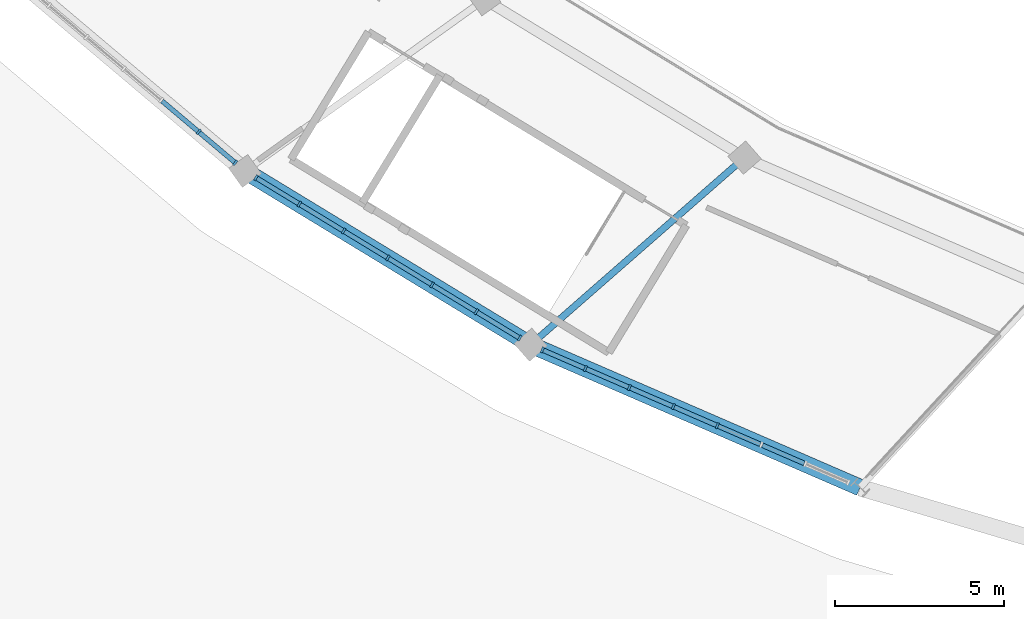
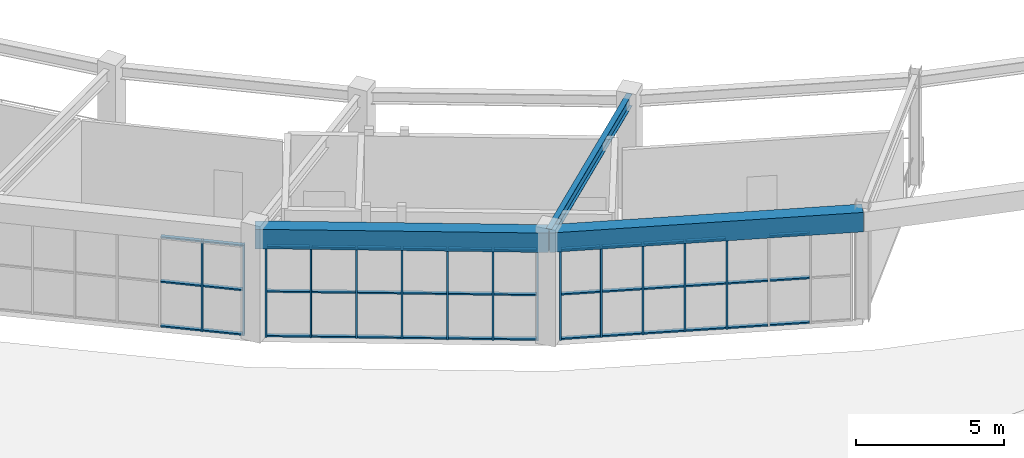
# One storey, part 14 of 45: 55 members, 3 beams, 3 elements without a shape of their own.
"""IFC4 building model written with IfcOpenShell, lengths in metres."""

from ifc_helpers import new_model, si_unit, direction, frame, origin, origin_2d, place, context, subcontext, project, spatial, rectangle, i_section, extrude, material, layer, layer_set, material_profile, profile_set, type_object, element, aggregate, save


model = new_model("IFC4")

# Units and contexts
model_context = context("Model", 3, precision=1e-05, world=origin(), true_north=direction((0.0, 1.0)))
body_context = subcontext(model_context, "Body", "Model", "MODEL_VIEW")
ifc_project = project(units=[si_unit("LENGTHUNIT", "METRE"), si_unit("AREAUNIT", "SQUARE_METRE"), si_unit("VOLUMEUNIT", "CUBIC_METRE"), si_unit("PLANEANGLEUNIT", "RADIAN"), si_unit("MASSUNIT", "GRAM", prefix="KILO")], contexts=[model_context])

# Site, building, storey
site_placement = place(None, origin())
site = spatial("IfcSite", under=ifc_project, at=site_placement, CompositionType="ELEMENT")
building_placement = place(site_placement, origin())
building = spatial("IfcBuilding", under=site, at=building_placement, Name="Mphavela Belvedere Stadium", CompositionType="ELEMENT")
storey_placement = place(building_placement, frame((0.0, 0.0, 24.0)))
storey = spatial("IfcBuildingStorey", under=building, at=storey_placement, Name="L05", CompositionType="ELEMENT", Elevation=24.0)

# Beams
ifc_material_1 = material(Name="Concrete C40/50", Category="concrete")
ifc_material_profile_1 = material_profile(ifc_material_1, rectangle(XDim=0.5, YDim=0.800048828125, at=origin_2d()), Name="RC 500x800")
ifc_profile_set_1 = profile_set([ifc_material_profile_1], Name="Concrete C40/50")
beam_type_1 = type_object("IfcBeamType", Name="BM-SPANDREL-800", PredefinedType="SPANDREL", material=ifc_profile_set_1)
beam_1_placement = place(storey_placement, frame((35.844482421875, 30.285400390625, 4.14990234375), z_axis=(0.854326607994, -0.51973651678, 0.0), x_axis=(0.51973651678, 0.854326607994, 0.0)))
element("IfcBeam", 1, at=beam_1_placement, inside=storey, type_object=beam_type_1, Name="Circumferential girder L05 R4-31", PredefinedType="SPANDREL", context=body_context, shape_type="SweptSolid", body=[
    extrude(rectangle(XDim=0.5, YDim=0.800048828125, at=origin_2d()), origin(), (0.0, 0.0, 1.0), 9.901611328125),
])
beam_2_placement = place(storey_placement, frame((44.3037109375, 25.13916015625, 4.14990234375), z_axis=(0.91749867224, -0.397738842004, 0.0), x_axis=(0.397738842004, 0.91749867224, 0.0)))
element("IfcBeam", 2, at=beam_2_placement, inside=storey, type_object=beam_type_1, Name="Circumferential girder L05 R4-32", PredefinedType="SPANDREL", context=body_context, shape_type="SweptSolid", body=[
    extrude(rectangle(XDim=0.5, YDim=0.800048828125, at=origin_2d()), origin(), (0.0, 0.0, 1.0), 10.63623046875),
])
ifc_material_2 = material(Name="Steel S355", Category="steel")
ifc_material_profile_2 = material_profile(ifc_material_2, i_section(OverallWidth=0.199951171875, OverallDepth=0.5, WebThickness=0.01025390625, FlangeThickness=0.01611328125, at=origin_2d()), Name="IPE 500")
ifc_profile_set_2 = profile_set([ifc_material_profile_2], Name="Steel S355")
beam_type_2 = type_object("IfcBeamType", Name="BM-STEEL-IPE500", PredefinedType="BEAM", material=ifc_profile_set_2)
beam_3_placement = place(storey_placement, frame((50.639892578125, 30.68310546875, 4.300048828125), z_axis=(-0.752589268993, -0.658490236978, 0.0), x_axis=(0.658490236978, -0.752589268993, 0.0)))
element("IfcBeam", 3, at=beam_3_placement, inside=storey, type_object=beam_type_2, Name="Radial concourse girder L05 R3R4-32", PredefinedType="BEAM", context=body_context, shape_type="SweptSolid", body=[
    extrude(i_section(OverallWidth=0.199951171875, OverallDepth=0.5, WebThickness=0.01025390625, FlangeThickness=0.01611328125, at=origin_2d()), origin(), (0.0, 0.0, 1.0), 8.419189453125),
])

# Curtain wall, members
ifc_material_3 = material(Name="Anodised bronze unitised curtain wall framing")
ifc_layer_1 = layer(ifc_material_3, 0.205078125)
ifc_layer_set_1 = layer_set([ifc_layer_1], Name="Anodised bronze unitised curtain wall framing")
curtain_wall_type_1 = type_object("IfcCurtainWallType", Name="CW-UNIT-06", PredefinedType="USERDEFINED", material=ifc_layer_set_1)
curtain_wall_1_placement = place(storey_placement, origin())
curtain_wall_1 = element("IfcCurtainWall", 4, at=curtain_wall_1_placement, inside=storey, type_object=curtain_wall_type_1, Name="Belvedere colonnade curtain wall L05-30", ObjectType="UNITISED CURTAIN WALL", PredefinedType="USERDEFINED")
ifc_material_4 = material(Name="Anodised bronze extruded aluminium", Category="aluminium")
ifc_material_profile_3 = material_profile(ifc_material_4, rectangle(XDim=0.179931640625, YDim=0.06494140625, at=origin_2d()), Name="CW-MUL 180x65")
ifc_profile_set_3 = profile_set([ifc_material_profile_3], Name="Anodised bronze extruded aluminium")
member_type_1 = type_object("IfcMemberType", Name="CWM-180x65", PredefinedType="MULLION", material=ifc_profile_set_3)
member_1_placement = place(storey_placement, frame((34.469970703125, 31.4453125, 0.0), z_axis=(0.0, 0.0, 1.0), x_axis=(0.644916038089, 0.764253429051, 0.0)))
member_1 = element("IfcMember", 5, at=member_1_placement, type_object=member_type_1, Name="CW-06 mullion 6", PredefinedType="MULLION", context=body_context, shape_type="SweptSolid", body=[
    extrude(rectangle(XDim=0.179931640625, YDim=0.06494140625, at=origin_2d()), origin(), (0.0, 0.0, 1.0), 3.719970703125),
])
member_2_placement = place(storey_placement, frame((35.553466796875, 30.53076171875, 0.0), z_axis=(0.0, 0.0, 1.0), x_axis=(0.644916038089, 0.764253429051, 0.0)))
member_2 = element("IfcMember", 6, at=member_2_placement, type_object=member_type_1, Name="CW-06 mullion 7", PredefinedType="MULLION", context=body_context, shape_type="SweptSolid", body=[
    extrude(rectangle(XDim=0.179931640625, YDim=0.06494140625, at=origin_2d()), origin(), (0.0, 0.0, 1.0), 3.719970703125),
])

ifc_material_5 = material(Name="Anodised bronze unitised curtain wall framing")
ifc_layer_2 = layer(ifc_material_5, 0.179931640625)
ifc_layer_set_2 = layer_set([ifc_layer_2], Name="Anodised bronze unitised curtain wall framing")
curtain_wall_type_2 = type_object("IfcCurtainWallType", Name="CW-UNIT-01", PredefinedType="USERDEFINED", material=ifc_layer_set_2)
curtain_wall_2_placement = place(storey_placement, origin())
curtain_wall_2 = element("IfcCurtainWall", 7, at=curtain_wall_2_placement, inside=storey, type_object=curtain_wall_type_2, Name="Belvedere colonnade curtain wall L05-31", ObjectType="UNITISED CURTAIN WALL", PredefinedType="USERDEFINED")
member_3_placement = place(storey_placement, frame((36.16943359375, 30.087646484375, 0.0), z_axis=(0.0, 0.0, 1.0), x_axis=(0.519735341101, 0.854327323226, 0.0)))
member_3 = element("IfcMember", 8, at=member_3_placement, type_object=member_type_1, Name="CW-01 mullion 1", PredefinedType="MULLION", context=body_context, shape_type="SweptSolid", body=[
    extrude(rectangle(XDim=0.179931640625, YDim=0.06494140625, at=origin_2d()), origin(), (0.0, 0.0, 1.0), 3.719970703125),
])
member_4_placement = place(storey_placement, frame((37.452392578125, 29.30712890625, 0.0), z_axis=(0.0, 0.0, 1.0), x_axis=(0.519735341101, 0.854327323226, 0.0)))
member_4 = element("IfcMember", 9, at=member_4_placement, type_object=member_type_1, Name="CW-01 mullion 2", PredefinedType="MULLION", context=body_context, shape_type="SweptSolid", body=[
    extrude(rectangle(XDim=0.179931640625, YDim=0.06494140625, at=origin_2d()), origin(), (0.0, 0.0, 1.0), 3.719970703125),
])
member_5_placement = place(storey_placement, frame((38.76318359375, 28.509765625, 0.0), z_axis=(0.0, 0.0, 1.0), x_axis=(0.519735341101, 0.854327323226, 0.0)))
member_5 = element("IfcMember", 10, at=member_5_placement, type_object=member_type_1, Name="CW-01 mullion 3", PredefinedType="MULLION", context=body_context, shape_type="SweptSolid", body=[
    extrude(rectangle(XDim=0.179931640625, YDim=0.06494140625, at=origin_2d()), origin(), (0.0, 0.0, 1.0), 3.719970703125),
])
member_6_placement = place(storey_placement, frame((40.07421875, 27.71240234375, 0.0), z_axis=(0.0, 0.0, 1.0), x_axis=(0.519735341101, 0.854327323226, 0.0)))
member_6 = element("IfcMember", 11, at=member_6_placement, type_object=member_type_1, Name="CW-01 mullion 4", PredefinedType="MULLION", context=body_context, shape_type="SweptSolid", body=[
    extrude(rectangle(XDim=0.179931640625, YDim=0.06494140625, at=origin_2d()), origin(), (0.0, 0.0, 1.0), 3.719970703125),
])
member_7_placement = place(storey_placement, frame((41.385009765625, 26.914794921875, 0.0), z_axis=(0.0, 0.0, 1.0), x_axis=(0.519735341101, 0.854327323226, 0.0)))
member_7 = element("IfcMember", 12, at=member_7_placement, type_object=member_type_1, Name="CW-01 mullion 5", PredefinedType="MULLION", context=body_context, shape_type="SweptSolid", body=[
    extrude(rectangle(XDim=0.179931640625, YDim=0.06494140625, at=origin_2d()), origin(), (0.0, 0.0, 1.0), 3.719970703125),
])
member_8_placement = place(storey_placement, frame((42.69580078125, 26.117431640625, 0.0), z_axis=(0.0, 0.0, 1.0), x_axis=(0.519735341101, 0.854327323226, 0.0)))
member_8 = element("IfcMember", 13, at=member_8_placement, type_object=member_type_1, Name="CW-01 mullion 6", PredefinedType="MULLION", context=body_context, shape_type="SweptSolid", body=[
    extrude(rectangle(XDim=0.179931640625, YDim=0.06494140625, at=origin_2d()), origin(), (0.0, 0.0, 1.0), 3.719970703125),
])
member_9_placement = place(storey_placement, frame((43.978759765625, 25.3369140625, 0.0), z_axis=(0.0, 0.0, 1.0), x_axis=(0.519735341101, 0.854327323226, 0.0)))
member_9 = element("IfcMember", 14, at=member_9_placement, type_object=member_type_1, Name="CW-01 mullion 7", PredefinedType="MULLION", context=body_context, shape_type="SweptSolid", body=[
    extrude(rectangle(XDim=0.179931640625, YDim=0.06494140625, at=origin_2d()), origin(), (0.0, 0.0, 1.0), 3.719970703125),
])

ifc_material_6 = material(Name="Anodised bronze unitised curtain wall framing")
ifc_layer_3 = layer(ifc_material_6, 0.18505859375)
ifc_layer_set_3 = layer_set([ifc_layer_3], Name="Anodised bronze unitised curtain wall framing")
curtain_wall_type_3 = type_object("IfcCurtainWallType", Name="CW-UNIT-02", PredefinedType="USERDEFINED", material=ifc_layer_set_3)
curtain_wall_3_placement = place(storey_placement, origin())
curtain_wall_3 = element("IfcCurtainWall", 15, at=curtain_wall_3_placement, inside=storey, type_object=curtain_wall_type_3, Name="Belvedere colonnade curtain wall L05-32", ObjectType="UNITISED CURTAIN WALL", PredefinedType="USERDEFINED")
member_10_placement = place(storey_placement, frame((44.65283203125, 24.98779296875, 0.0), z_axis=(0.0, 0.0, 1.0), x_axis=(0.39774295054, 0.917496891164, 0.0)))
member_10 = element("IfcMember", 16, at=member_10_placement, type_object=member_type_1, Name="CW-02 mullion 1", PredefinedType="MULLION", context=body_context, shape_type="SweptSolid", body=[
    extrude(rectangle(XDim=0.179931640625, YDim=0.06494140625, at=origin_2d()), origin(), (0.0, 0.0, 1.0), 3.719970703125),
])
member_11_placement = place(storey_placement, frame((45.926025390625, 24.435791015625, 0.0), z_axis=(0.0, 0.0, 1.0), x_axis=(0.39774295054, 0.917496891164, 0.0)))
member_11 = element("IfcMember", 17, at=member_11_placement, type_object=member_type_1, Name="CW-02 mullion 2", PredefinedType="MULLION", context=body_context, shape_type="SweptSolid", body=[
    extrude(rectangle(XDim=0.179931640625, YDim=0.06494140625, at=origin_2d()), origin(), (0.0, 0.0, 1.0), 3.719970703125),
])
member_12_placement = place(storey_placement, frame((47.228759765625, 23.87109375, 0.0), z_axis=(0.0, 0.0, 1.0), x_axis=(0.39774295054, 0.917496891164, 0.0)))
member_12 = element("IfcMember", 18, at=member_12_placement, type_object=member_type_1, Name="CW-02 mullion 3", PredefinedType="MULLION", context=body_context, shape_type="SweptSolid", body=[
    extrude(rectangle(XDim=0.179931640625, YDim=0.06494140625, at=origin_2d()), origin(), (0.0, 0.0, 1.0), 3.719970703125),
])
member_13_placement = place(storey_placement, frame((48.53173828125, 23.306396484375, 0.0), z_axis=(0.0, 0.0, 1.0), x_axis=(0.39774295054, 0.917496891164, 0.0)))
member_13 = element("IfcMember", 19, at=member_13_placement, type_object=member_type_1, Name="CW-02 mullion 4", PredefinedType="MULLION", context=body_context, shape_type="SweptSolid", body=[
    extrude(rectangle(XDim=0.179931640625, YDim=0.06494140625, at=origin_2d()), origin(), (0.0, 0.0, 1.0), 3.719970703125),
])
member_14_placement = place(storey_placement, frame((49.83447265625, 22.741455078125, 0.0), z_axis=(0.0, 0.0, 1.0), x_axis=(0.39774295054, 0.917496891164, 0.0)))
member_14 = element("IfcMember", 20, at=member_14_placement, type_object=member_type_1, Name="CW-02 mullion 5", PredefinedType="MULLION", context=body_context, shape_type="SweptSolid", body=[
    extrude(rectangle(XDim=0.179931640625, YDim=0.06494140625, at=origin_2d()), origin(), (0.0, 0.0, 1.0), 3.719970703125),
])

# Member
ifc_material_7 = material(Name="Anodised bronze extruded aluminium", Category="aluminium")
ifc_material_profile_4 = material_profile(ifc_material_7, rectangle(XDim=0.139892578125, YDim=0.06005859375, at=origin_2d()), Name="CW-TRN 140x60")
ifc_profile_set_4 = profile_set([ifc_material_profile_4], Name="Anodised bronze extruded aluminium")
member_type_2 = type_object("IfcMemberType", Name="CWT-140x60", PredefinedType="USERDEFINED", material=ifc_profile_set_4)
member_15_placement = place(storey_placement, frame((33.38623046875, 32.359619140625, 0.030029296875), z_axis=(0.764321340715, -0.644835551228, 0.0), x_axis=(0.644835551228, 0.764321340715, 0.0)))
member_15 = element("IfcMember", 21, at=member_15_placement, type_object=member_type_2, Name="CW-06 transom 5.1", ObjectType="TRANSOM", PredefinedType="USERDEFINED", context=body_context, shape_type="SweptSolid", body=[
    extrude(rectangle(XDim=0.139892578125, YDim=0.06005859375, at=origin_2d()), origin(), (0.0, 0.0, 1.0), 1.38525390625),
])

member_16_placement = place(storey_placement, frame((33.38623046875, 32.359619140625, 1.860107421875), z_axis=(0.764321340715, -0.644835551228, 0.0), x_axis=(0.644835551228, 0.764321340715, 0.0)))
member_16 = element("IfcMember", 22, at=member_16_placement, type_object=member_type_2, Name="CW-06 transom 5.2", ObjectType="TRANSOM", PredefinedType="USERDEFINED", context=body_context, shape_type="SweptSolid", body=[
    extrude(rectangle(XDim=0.139892578125, YDim=0.06005859375, at=origin_2d()), origin(), (0.0, 0.0, 1.0), 1.38525390625),
])

member_17_placement = place(storey_placement, frame((33.38623046875, 32.359619140625, 3.68994140625), z_axis=(0.764321340715, -0.644835551228, 0.0), x_axis=(0.644835551228, 0.764321340715, 0.0)))
member_17 = element("IfcMember", 23, at=member_17_placement, type_object=member_type_2, Name="CW-06 transom 5.3", ObjectType="TRANSOM", PredefinedType="USERDEFINED", context=body_context, shape_type="SweptSolid", body=[
    extrude(rectangle(XDim=0.139892578125, YDim=0.06005859375, at=origin_2d()), origin(), (0.0, 0.0, 1.0), 1.38525390625),
])

member_18_placement = place(storey_placement, frame((34.494873046875, 31.42431640625, 0.030029296875), z_axis=(0.764227553542, -0.644946700439, 0.0), x_axis=(0.644946700439, 0.764227553542, 0.0)))
member_18 = element("IfcMember", 24, at=member_18_placement, type_object=member_type_2, Name="CW-06 transom 6.1", ObjectType="TRANSOM", PredefinedType="USERDEFINED", context=body_context, shape_type="SweptSolid", body=[
    extrude(rectangle(XDim=0.139892578125, YDim=0.06005859375, at=origin_2d()), origin(), (0.0, 0.0, 1.0), 1.35302734375),
])

member_19_placement = place(storey_placement, frame((34.494873046875, 31.42431640625, 1.860107421875), z_axis=(0.764227553542, -0.644946700439, 0.0), x_axis=(0.644946700439, 0.764227553542, 0.0)))
member_19 = element("IfcMember", 25, at=member_19_placement, type_object=member_type_2, Name="CW-06 transom 6.2", ObjectType="TRANSOM", PredefinedType="USERDEFINED", context=body_context, shape_type="SweptSolid", body=[
    extrude(rectangle(XDim=0.139892578125, YDim=0.06005859375, at=origin_2d()), origin(), (0.0, 0.0, 1.0), 1.35302734375),
])

member_20_placement = place(storey_placement, frame((34.494873046875, 31.42431640625, 3.68994140625), z_axis=(0.764227553542, -0.644946700439, 0.0), x_axis=(0.644946700439, 0.764227553542, 0.0)))
member_20 = element("IfcMember", 26, at=member_20_placement, type_object=member_type_2, Name="CW-06 transom 6.3", ObjectType="TRANSOM", PredefinedType="USERDEFINED", context=body_context, shape_type="SweptSolid", body=[
    extrude(rectangle(XDim=0.139892578125, YDim=0.06005859375, at=origin_2d()), origin(), (0.0, 0.0, 1.0), 1.35302734375),
])

aggregate(curtain_wall_1, [member_1, member_2, member_15, member_16, member_17, member_18, member_19, member_20])

member_21_placement = place(storey_placement, frame((36.197265625, 30.07080078125, 0.030029296875), z_axis=(0.854313371297, -0.519758274224, 0.0), x_axis=(0.519758274224, 0.854313371297, 0.0)))
member_21 = element("IfcMember", 27, at=member_21_placement, type_object=member_type_2, Name="CW-01 transom 1.1", ObjectType="TRANSOM", PredefinedType="USERDEFINED", context=body_context, shape_type="SweptSolid", body=[
    extrude(rectangle(XDim=0.139892578125, YDim=0.06005859375, at=origin_2d()), origin(), (0.0, 0.0, 1.0), 1.436767578125),
])

member_22_placement = place(storey_placement, frame((36.197265625, 30.07080078125, 1.860107421875), z_axis=(0.854313371297, -0.519758274224, 0.0), x_axis=(0.519758274224, 0.854313371297, 0.0)))
member_22 = element("IfcMember", 28, at=member_22_placement, type_object=member_type_2, Name="CW-01 transom 1.2", ObjectType="TRANSOM", PredefinedType="USERDEFINED", context=body_context, shape_type="SweptSolid", body=[
    extrude(rectangle(XDim=0.139892578125, YDim=0.06005859375, at=origin_2d()), origin(), (0.0, 0.0, 1.0), 1.436767578125),
])

member_23_placement = place(storey_placement, frame((36.197265625, 30.07080078125, 3.68994140625), z_axis=(0.854313371297, -0.519758274224, 0.0), x_axis=(0.519758274224, 0.854313371297, 0.0)))
member_23 = element("IfcMember", 29, at=member_23_placement, type_object=member_type_2, Name="CW-01 transom 1.3", ObjectType="TRANSOM", PredefinedType="USERDEFINED", context=body_context, shape_type="SweptSolid", body=[
    extrude(rectangle(XDim=0.139892578125, YDim=0.06005859375, at=origin_2d()), origin(), (0.0, 0.0, 1.0), 1.436767578125),
])

member_24_placement = place(storey_placement, frame((37.480224609375, 29.290283203125, 0.030029296875), z_axis=(0.854339693741, -0.519715006228, 0.0), x_axis=(0.519715006228, 0.854339693741, 0.0)))
member_24 = element("IfcMember", 30, at=member_24_placement, type_object=member_type_2, Name="CW-01 transom 2.1", ObjectType="TRANSOM", PredefinedType="USERDEFINED", context=body_context, shape_type="SweptSolid", body=[
    extrude(rectangle(XDim=0.139892578125, YDim=0.06005859375, at=origin_2d()), origin(), (0.0, 0.0, 1.0), 1.469482421875),
])

member_25_placement = place(storey_placement, frame((37.480224609375, 29.290283203125, 1.860107421875), z_axis=(0.854339693741, -0.519715006228, 0.0), x_axis=(0.519715006228, 0.854339693741, 0.0)))
member_25 = element("IfcMember", 31, at=member_25_placement, type_object=member_type_2, Name="CW-01 transom 2.2", ObjectType="TRANSOM", PredefinedType="USERDEFINED", context=body_context, shape_type="SweptSolid", body=[
    extrude(rectangle(XDim=0.139892578125, YDim=0.06005859375, at=origin_2d()), origin(), (0.0, 0.0, 1.0), 1.469482421875),
])

member_26_placement = place(storey_placement, frame((37.480224609375, 29.290283203125, 3.68994140625), z_axis=(0.854339693741, -0.519715006228, 0.0), x_axis=(0.519715006228, 0.854339693741, 0.0)))
member_26 = element("IfcMember", 32, at=member_26_placement, type_object=member_type_2, Name="CW-01 transom 2.3", ObjectType="TRANSOM", PredefinedType="USERDEFINED", context=body_context, shape_type="SweptSolid", body=[
    extrude(rectangle(XDim=0.139892578125, YDim=0.06005859375, at=origin_2d()), origin(), (0.0, 0.0, 1.0), 1.469482421875),
])

member_27_placement = place(storey_placement, frame((38.791015625, 28.492919921875, 0.030029296875), z_axis=(0.854339693741, -0.519715006228, 0.0), x_axis=(0.519715006228, 0.854339693741, 0.0)))
member_27 = element("IfcMember", 33, at=member_27_placement, type_object=member_type_2, Name="CW-01 transom 3.1", ObjectType="TRANSOM", PredefinedType="USERDEFINED", context=body_context, shape_type="SweptSolid", body=[
    extrude(rectangle(XDim=0.139892578125, YDim=0.06005859375, at=origin_2d()), origin(), (0.0, 0.0, 1.0), 1.469482421875),
])

member_28_placement = place(storey_placement, frame((38.791015625, 28.492919921875, 1.860107421875), z_axis=(0.854339693741, -0.519715006228, 0.0), x_axis=(0.519715006228, 0.854339693741, 0.0)))
member_28 = element("IfcMember", 34, at=member_28_placement, type_object=member_type_2, Name="CW-01 transom 3.2", ObjectType="TRANSOM", PredefinedType="USERDEFINED", context=body_context, shape_type="SweptSolid", body=[
    extrude(rectangle(XDim=0.139892578125, YDim=0.06005859375, at=origin_2d()), origin(), (0.0, 0.0, 1.0), 1.469482421875),
])

member_29_placement = place(storey_placement, frame((38.791015625, 28.492919921875, 3.68994140625), z_axis=(0.854339693741, -0.519715006228, 0.0), x_axis=(0.519715006228, 0.854339693741, 0.0)))
member_29 = element("IfcMember", 35, at=member_29_placement, type_object=member_type_2, Name="CW-01 transom 3.3", ObjectType="TRANSOM", PredefinedType="USERDEFINED", context=body_context, shape_type="SweptSolid", body=[
    extrude(rectangle(XDim=0.139892578125, YDim=0.06005859375, at=origin_2d()), origin(), (0.0, 0.0, 1.0), 1.469482421875),
])

member_30_placement = place(storey_placement, frame((40.101806640625, 27.6953125, 0.030029296875), z_axis=(0.854339693741, -0.519715006228, 0.0), x_axis=(0.519715006228, 0.854339693741, 0.0)))
member_30 = element("IfcMember", 36, at=member_30_placement, type_object=member_type_2, Name="CW-01 transom 4.1", ObjectType="TRANSOM", PredefinedType="USERDEFINED", context=body_context, shape_type="SweptSolid", body=[
    extrude(rectangle(XDim=0.139892578125, YDim=0.06005859375, at=origin_2d()), origin(), (0.0, 0.0, 1.0), 1.469482421875),
])

member_31_placement = place(storey_placement, frame((40.101806640625, 27.6953125, 1.860107421875), z_axis=(0.854339693741, -0.519715006228, 0.0), x_axis=(0.519715006228, 0.854339693741, 0.0)))
member_31 = element("IfcMember", 37, at=member_31_placement, type_object=member_type_2, Name="CW-01 transom 4.2", ObjectType="TRANSOM", PredefinedType="USERDEFINED", context=body_context, shape_type="SweptSolid", body=[
    extrude(rectangle(XDim=0.139892578125, YDim=0.06005859375, at=origin_2d()), origin(), (0.0, 0.0, 1.0), 1.469482421875),
])

member_32_placement = place(storey_placement, frame((40.101806640625, 27.6953125, 3.68994140625), z_axis=(0.854339693741, -0.519715006228, 0.0), x_axis=(0.519715006228, 0.854339693741, 0.0)))
member_32 = element("IfcMember", 38, at=member_32_placement, type_object=member_type_2, Name="CW-01 transom 4.3", ObjectType="TRANSOM", PredefinedType="USERDEFINED", context=body_context, shape_type="SweptSolid", body=[
    extrude(rectangle(XDim=0.139892578125, YDim=0.06005859375, at=origin_2d()), origin(), (0.0, 0.0, 1.0), 1.469482421875),
])

member_33_placement = place(storey_placement, frame((41.41259765625, 26.89794921875, 0.030029296875), z_axis=(0.854339693741, -0.519715006228, 0.0), x_axis=(0.519715006228, 0.854339693741, 0.0)))
member_33 = element("IfcMember", 39, at=member_33_placement, type_object=member_type_2, Name="CW-01 transom 5.1", ObjectType="TRANSOM", PredefinedType="USERDEFINED", context=body_context, shape_type="SweptSolid", body=[
    extrude(rectangle(XDim=0.139892578125, YDim=0.06005859375, at=origin_2d()), origin(), (0.0, 0.0, 1.0), 1.469482421875),
])

member_34_placement = place(storey_placement, frame((41.41259765625, 26.89794921875, 1.860107421875), z_axis=(0.854339693741, -0.519715006228, 0.0), x_axis=(0.519715006228, 0.854339693741, 0.0)))
member_34 = element("IfcMember", 40, at=member_34_placement, type_object=member_type_2, Name="CW-01 transom 5.2", ObjectType="TRANSOM", PredefinedType="USERDEFINED", context=body_context, shape_type="SweptSolid", body=[
    extrude(rectangle(XDim=0.139892578125, YDim=0.06005859375, at=origin_2d()), origin(), (0.0, 0.0, 1.0), 1.469482421875),
])

member_35_placement = place(storey_placement, frame((41.41259765625, 26.89794921875, 3.68994140625), z_axis=(0.854339693741, -0.519715006228, 0.0), x_axis=(0.519715006228, 0.854339693741, 0.0)))
member_35 = element("IfcMember", 41, at=member_35_placement, type_object=member_type_2, Name="CW-01 transom 5.3", ObjectType="TRANSOM", PredefinedType="USERDEFINED", context=body_context, shape_type="SweptSolid", body=[
    extrude(rectangle(XDim=0.139892578125, YDim=0.06005859375, at=origin_2d()), origin(), (0.0, 0.0, 1.0), 1.469482421875),
])

member_36_placement = place(storey_placement, frame((42.723388671875, 26.1005859375, 0.030029296875), z_axis=(0.854313371297, -0.519758274224, 0.0), x_axis=(0.519758274224, 0.854313371297, 0.0)))
member_36 = element("IfcMember", 42, at=member_36_placement, type_object=member_type_2, Name="CW-01 transom 6.1", ObjectType="TRANSOM", PredefinedType="USERDEFINED", context=body_context, shape_type="SweptSolid", body=[
    extrude(rectangle(XDim=0.139892578125, YDim=0.06005859375, at=origin_2d()), origin(), (0.0, 0.0, 1.0), 1.436767578125),
])

member_37_placement = place(storey_placement, frame((42.723388671875, 26.1005859375, 1.860107421875), z_axis=(0.854313371297, -0.519758274224, 0.0), x_axis=(0.519758274224, 0.854313371297, 0.0)))
member_37 = element("IfcMember", 43, at=member_37_placement, type_object=member_type_2, Name="CW-01 transom 6.2", ObjectType="TRANSOM", PredefinedType="USERDEFINED", context=body_context, shape_type="SweptSolid", body=[
    extrude(rectangle(XDim=0.139892578125, YDim=0.06005859375, at=origin_2d()), origin(), (0.0, 0.0, 1.0), 1.436767578125),
])

member_38_placement = place(storey_placement, frame((42.723388671875, 26.1005859375, 3.68994140625), z_axis=(0.854313371297, -0.519758274224, 0.0), x_axis=(0.519758274224, 0.854313371297, 0.0)))
member_38 = element("IfcMember", 44, at=member_38_placement, type_object=member_type_2, Name="CW-01 transom 6.3", ObjectType="TRANSOM", PredefinedType="USERDEFINED", context=body_context, shape_type="SweptSolid", body=[
    extrude(rectangle(XDim=0.139892578125, YDim=0.06005859375, at=origin_2d()), origin(), (0.0, 0.0, 1.0), 1.436767578125),
])

aggregate(curtain_wall_2, [member_3, member_4, member_5, member_6, member_7, member_8, member_9, member_21, member_22, member_23, member_24, member_25, member_26, member_27, member_28, member_29, member_30, member_31, member_32, member_33, member_34, member_35, member_36, member_37, member_38])

member_39_placement = place(storey_placement, frame((44.6826171875, 24.974853515625, 0.030029296875), z_axis=(0.917495012317, -0.397747284559, 0.0), x_axis=(0.397747284559, 0.917495012317, 0.0)))
member_39 = element("IfcMember", 45, at=member_39_placement, type_object=member_type_2, Name="CW-02 transom 1.1", ObjectType="TRANSOM", PredefinedType="USERDEFINED", context=body_context, shape_type="SweptSolid", body=[
    extrude(rectangle(XDim=0.139892578125, YDim=0.06005859375, at=origin_2d()), origin(), (0.0, 0.0, 1.0), 1.32275390625),
])

member_40_placement = place(storey_placement, frame((44.6826171875, 24.974853515625, 1.860107421875), z_axis=(0.917495012317, -0.397747284559, 0.0), x_axis=(0.397747284559, 0.917495012317, 0.0)))
member_40 = element("IfcMember", 46, at=member_40_placement, type_object=member_type_2, Name="CW-02 transom 1.2", ObjectType="TRANSOM", PredefinedType="USERDEFINED", context=body_context, shape_type="SweptSolid", body=[
    extrude(rectangle(XDim=0.139892578125, YDim=0.06005859375, at=origin_2d()), origin(), (0.0, 0.0, 1.0), 1.32275390625),
])

member_41_placement = place(storey_placement, frame((44.6826171875, 24.974853515625, 3.68994140625), z_axis=(0.917495012317, -0.397747284559, 0.0), x_axis=(0.397747284559, 0.917495012317, 0.0)))
member_41 = element("IfcMember", 47, at=member_41_placement, type_object=member_type_2, Name="CW-02 transom 1.3", ObjectType="TRANSOM", PredefinedType="USERDEFINED", context=body_context, shape_type="SweptSolid", body=[
    extrude(rectangle(XDim=0.139892578125, YDim=0.06005859375, at=origin_2d()), origin(), (0.0, 0.0, 1.0), 1.32275390625),
])

member_42_placement = place(storey_placement, frame((45.955810546875, 24.4228515625, 0.030029296875), z_axis=(0.917524944853, -0.397678231204, 0.0), x_axis=(0.397678231204, 0.917524944853, 0.0)))
member_42 = element("IfcMember", 48, at=member_42_placement, type_object=member_type_2, Name="CW-02 transom 2.1", ObjectType="TRANSOM", PredefinedType="USERDEFINED", context=body_context, shape_type="SweptSolid", body=[
    extrude(rectangle(XDim=0.139892578125, YDim=0.06005859375, at=origin_2d()), origin(), (0.0, 0.0, 1.0), 1.35498046875),
])

member_43_placement = place(storey_placement, frame((45.955810546875, 24.4228515625, 1.860107421875), z_axis=(0.917524944853, -0.397678231204, 0.0), x_axis=(0.397678231204, 0.917524944853, 0.0)))
member_43 = element("IfcMember", 49, at=member_43_placement, type_object=member_type_2, Name="CW-02 transom 2.2", ObjectType="TRANSOM", PredefinedType="USERDEFINED", context=body_context, shape_type="SweptSolid", body=[
    extrude(rectangle(XDim=0.139892578125, YDim=0.06005859375, at=origin_2d()), origin(), (0.0, 0.0, 1.0), 1.35498046875),
])

member_44_placement = place(storey_placement, frame((45.955810546875, 24.4228515625, 3.68994140625), z_axis=(0.917524944853, -0.397678231204, 0.0), x_axis=(0.397678231204, 0.917524944853, 0.0)))
member_44 = element("IfcMember", 50, at=member_44_placement, type_object=member_type_2, Name="CW-02 transom 2.3", ObjectType="TRANSOM", PredefinedType="USERDEFINED", context=body_context, shape_type="SweptSolid", body=[
    extrude(rectangle(XDim=0.139892578125, YDim=0.06005859375, at=origin_2d()), origin(), (0.0, 0.0, 1.0), 1.35498046875),
])

member_45_placement = place(storey_placement, frame((47.258544921875, 23.858154296875, 0.030029296875), z_axis=(0.917553434392, -0.39761249356, 0.0), x_axis=(0.39761249356, 0.917553434392, 0.0)))
member_45 = element("IfcMember", 51, at=member_45_placement, type_object=member_type_2, Name="CW-02 transom 3.1", ObjectType="TRANSOM", PredefinedType="USERDEFINED", context=body_context, shape_type="SweptSolid", body=[
    extrude(rectangle(XDim=0.139892578125, YDim=0.06005859375, at=origin_2d()), origin(), (0.0, 0.0, 1.0), 1.355224609375),
])

member_46_placement = place(storey_placement, frame((47.258544921875, 23.858154296875, 1.860107421875), z_axis=(0.917553434392, -0.39761249356, 0.0), x_axis=(0.39761249356, 0.917553434392, 0.0)))
member_46 = element("IfcMember", 52, at=member_46_placement, type_object=member_type_2, Name="CW-02 transom 3.2", ObjectType="TRANSOM", PredefinedType="USERDEFINED", context=body_context, shape_type="SweptSolid", body=[
    extrude(rectangle(XDim=0.139892578125, YDim=0.06005859375, at=origin_2d()), origin(), (0.0, 0.0, 1.0), 1.355224609375),
])

member_47_placement = place(storey_placement, frame((47.258544921875, 23.858154296875, 3.68994140625), z_axis=(0.917553434392, -0.39761249356, 0.0), x_axis=(0.39761249356, 0.917553434392, 0.0)))
member_47 = element("IfcMember", 53, at=member_47_placement, type_object=member_type_2, Name="CW-02 transom 3.3", ObjectType="TRANSOM", PredefinedType="USERDEFINED", context=body_context, shape_type="SweptSolid", body=[
    extrude(rectangle(XDim=0.139892578125, YDim=0.06005859375, at=origin_2d()), origin(), (0.0, 0.0, 1.0), 1.355224609375),
])

member_48_placement = place(storey_placement, frame((48.5615234375, 23.29345703125, 0.030029296875), z_axis=(0.917459189536, -0.397829907796, 0.0), x_axis=(0.397829907796, 0.917459189536, 0.0)))
member_48 = element("IfcMember", 54, at=member_48_placement, type_object=member_type_2, Name="CW-02 transom 4.1", ObjectType="TRANSOM", PredefinedType="USERDEFINED", context=body_context, shape_type="SweptSolid", body=[
    extrude(rectangle(XDim=0.139892578125, YDim=0.06005859375, at=origin_2d()), origin(), (0.0, 0.0, 1.0), 1.35498046875),
])

member_49_placement = place(storey_placement, frame((48.5615234375, 23.29345703125, 1.860107421875), z_axis=(0.917459189536, -0.397829907796, 0.0), x_axis=(0.397829907796, 0.917459189536, 0.0)))
member_49 = element("IfcMember", 55, at=member_49_placement, type_object=member_type_2, Name="CW-02 transom 4.2", ObjectType="TRANSOM", PredefinedType="USERDEFINED", context=body_context, shape_type="SweptSolid", body=[
    extrude(rectangle(XDim=0.139892578125, YDim=0.06005859375, at=origin_2d()), origin(), (0.0, 0.0, 1.0), 1.35498046875),
])

member_50_placement = place(storey_placement, frame((48.5615234375, 23.29345703125, 3.68994140625), z_axis=(0.917459189536, -0.397829907796, 0.0), x_axis=(0.397829907796, 0.917459189536, 0.0)))
member_50 = element("IfcMember", 56, at=member_50_placement, type_object=member_type_2, Name="CW-02 transom 4.3", ObjectType="TRANSOM", PredefinedType="USERDEFINED", context=body_context, shape_type="SweptSolid", body=[
    extrude(rectangle(XDim=0.139892578125, YDim=0.06005859375, at=origin_2d()), origin(), (0.0, 0.0, 1.0), 1.35498046875),
])

member_51_placement = place(storey_placement, frame((49.8642578125, 22.728515625, 0.030029296875), z_axis=(0.917553434392, -0.39761249356, 0.0), x_axis=(0.39761249356, 0.917553434392, 0.0)))
member_51 = element("IfcMember", 57, at=member_51_placement, type_object=member_type_2, Name="CW-02 transom 5.1", ObjectType="TRANSOM", PredefinedType="USERDEFINED", context=body_context, shape_type="SweptSolid", body=[
    extrude(rectangle(XDim=0.139892578125, YDim=0.06005859375, at=origin_2d()), origin(), (0.0, 0.0, 1.0), 1.355224609375),
])

member_52_placement = place(storey_placement, frame((49.8642578125, 22.728515625, 1.860107421875), z_axis=(0.917553434392, -0.39761249356, 0.0), x_axis=(0.39761249356, 0.917553434392, 0.0)))
member_52 = element("IfcMember", 58, at=member_52_placement, type_object=member_type_2, Name="CW-02 transom 5.2", ObjectType="TRANSOM", PredefinedType="USERDEFINED", context=body_context, shape_type="SweptSolid", body=[
    extrude(rectangle(XDim=0.139892578125, YDim=0.06005859375, at=origin_2d()), origin(), (0.0, 0.0, 1.0), 1.355224609375),
])

member_53_placement = place(storey_placement, frame((51.167236328125, 22.163818359375, 0.030029296875), z_axis=(0.917459189536, -0.397829907796, 0.0), x_axis=(0.397829907796, 0.917459189536, 0.0)))
member_53 = element("IfcMember", 59, at=member_53_placement, type_object=member_type_2, Name="CW-02 transom 6.1", ObjectType="TRANSOM", PredefinedType="USERDEFINED", context=body_context, shape_type="SweptSolid", body=[
    extrude(rectangle(XDim=0.139892578125, YDim=0.06005859375, at=origin_2d()), origin(), (0.0, 0.0, 1.0), 1.35498046875),
])

member_54_placement = place(storey_placement, frame((51.167236328125, 22.163818359375, 1.860107421875), z_axis=(0.917459189536, -0.397829907796, 0.0), x_axis=(0.397829907796, 0.917459189536, 0.0)))
member_54 = element("IfcMember", 60, at=member_54_placement, type_object=member_type_2, Name="CW-02 transom 6.2", ObjectType="TRANSOM", PredefinedType="USERDEFINED", context=body_context, shape_type="SweptSolid", body=[
    extrude(rectangle(XDim=0.139892578125, YDim=0.06005859375, at=origin_2d()), origin(), (0.0, 0.0, 1.0), 1.35498046875),
])

member_55_placement = place(storey_placement, frame((51.167236328125, 22.163818359375, 3.68994140625), z_axis=(0.917459189536, -0.397829907796, 0.0), x_axis=(0.397829907796, 0.917459189536, 0.0)))
member_55 = element("IfcMember", 61, at=member_55_placement, type_object=member_type_2, Name="CW-02 transom 6.3", ObjectType="TRANSOM", PredefinedType="USERDEFINED", context=body_context, shape_type="SweptSolid", body=[
    extrude(rectangle(XDim=0.139892578125, YDim=0.06005859375, at=origin_2d()), origin(), (0.0, 0.0, 1.0), 1.35498046875),
])

aggregate(curtain_wall_3, [member_10, member_11, member_12, member_13, member_14, member_39, member_40, member_41, member_42, member_43, member_44, member_45, member_46, member_47, member_48, member_49, member_50, member_51, member_52, member_53, member_54, member_55])

save(model, "model.ifc")
